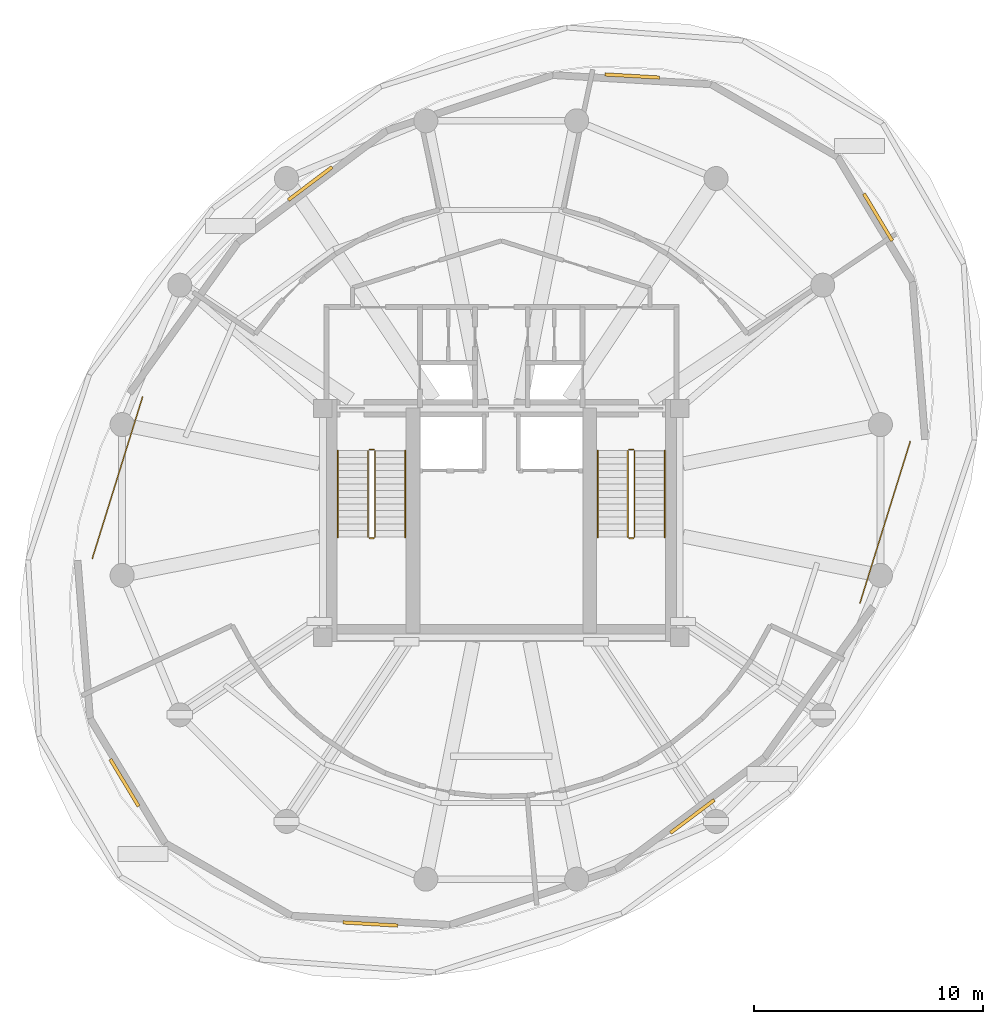
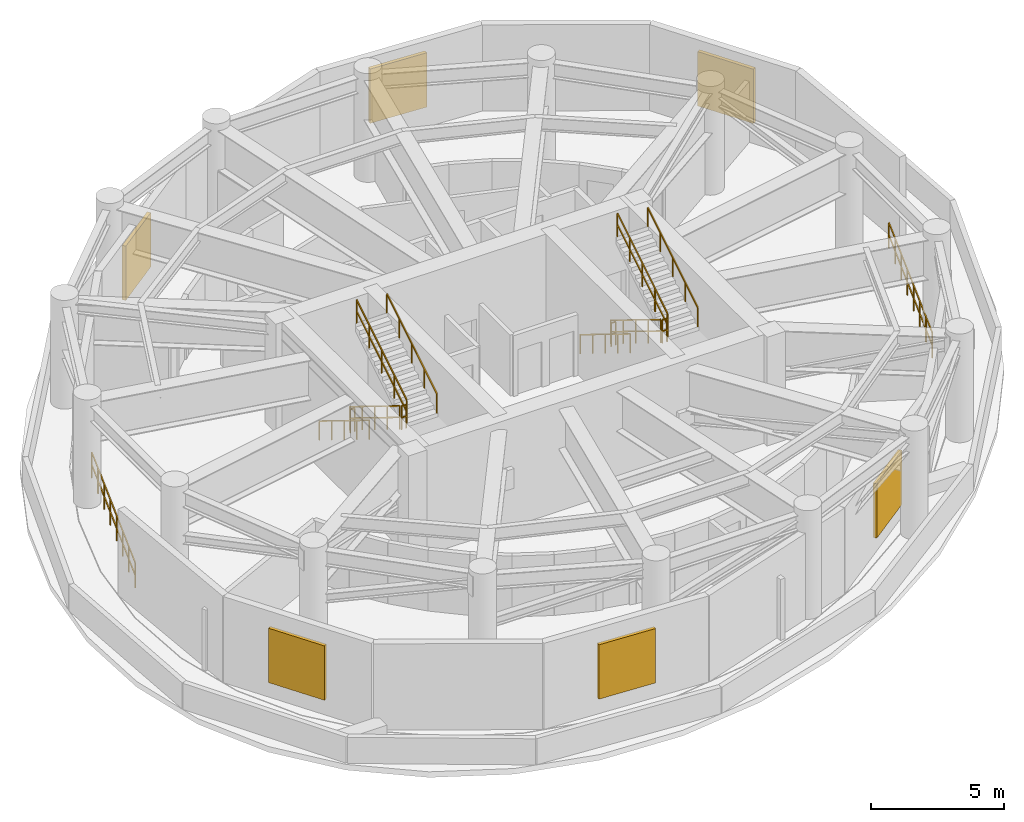
# One storey, part 6 of 6: 14 railings, 6 shading devices.
"""IFC4 building model written with IfcOpenShell, lengths in metres."""

from ifc_helpers import new_model, si_unit, direction, frame, origin, origin_2d, place, context, subcontext, project, spatial, rectangle, extrude, material, layer, layer_set, type_object, element, save


model = new_model("IFC4")

# Units and contexts
model_context = context("Model", 3, precision=1e-05, world=origin(), true_north=direction((0.0, 1.0)))
body_context = subcontext(model_context, "Body", "Model", "MODEL_VIEW")
ifc_project = project(units=[si_unit("LENGTHUNIT", "METRE"), si_unit("AREAUNIT", "SQUARE_METRE"), si_unit("VOLUMEUNIT", "CUBIC_METRE"), si_unit("PLANEANGLEUNIT", "RADIAN"), si_unit("MASSUNIT", "GRAM", prefix="KILO"), si_unit("THERMODYNAMICTEMPERATUREUNIT", "KELVIN"), si_unit("POWERUNIT", "WATT")], contexts=[model_context])

# Site, building, storey
site_placement = place(None, origin())
site = spatial("IfcSite", under=ifc_project, at=site_placement, CompositionType="ELEMENT")
building_placement = place(site_placement, origin())
building = spatial("IfcBuilding", under=site, at=building_placement, Name="Ocrelia Relay Tower", CompositionType="ELEMENT")
storey_placement = place(building_placement, frame((0.0, 0.0, 220.39990234375)))
storey = spatial("IfcBuildingStorey", under=building, at=storey_placement, Name="L54", CompositionType="ELEMENT", Elevation=220.39990234375)

# Railings
ifc_material_1 = material(Name="Steel S355 balustrade", Category="steel")
railing_type_1 = type_object("IfcRailingType", Name="RL-PORTAL-GUARD-1200", PredefinedType="GUARDRAIL", material=ifc_material_1)
railing_1_placement = place(storey_placement, frame((18.318603515625, 30.502197265625, 0.0)))
element("IfcRailing", 1, at=railing_1_placement, inside=storey, type_object=railing_type_1, Name="L54 Wind Portal Perimeter Guard 06", PredefinedType="GUARDRAIL", context=body_context, shape_type="SweptSolid", body=[
    extrude(rectangle(XDim=0.048095703125, YDim=0.048095703125, at=origin_2d()), frame((0.0, 0.0, 1.17578125), z_axis=(-0.296957399718, -0.954890728174, 0.0), x_axis=(0.954890728174, -0.296957399718, 0.0)), (0.0, 0.0, 1.0), 7.386962890625),
    extrude(rectangle(XDim=0.048095703125, YDim=0.048095703125, at=origin_2d()), frame((0.0, 0.0, 0.60009765625), z_axis=(-0.296957399718, -0.954890728174, 0.0), x_axis=(0.954890728174, -0.296957399718, 0.0)), (0.0, 0.0, 1.0), 7.386962890625),
    extrude(rectangle(XDim=0.0419921875, YDim=0.0419921875, at=origin_2d()), origin(), (0.0, 0.0, 1.0), 1.15185546875),
    extrude(rectangle(XDim=0.0419921875, YDim=0.0419921875, at=origin_2d()), frame((-0.3134765625, -1.007568359375, 0.0)), (0.0, 0.0, 1.0), 1.15185546875),
    extrude(rectangle(XDim=0.0419921875, YDim=0.0419921875, at=origin_2d()), frame((-0.626708984375, -2.015380859375, 0.0)), (0.0, 0.0, 1.0), 1.15185546875),
    extrude(rectangle(XDim=0.0419921875, YDim=0.0419921875, at=origin_2d()), frame((-0.940185546875, -3.02294921875, 0.0)), (0.0, 0.0, 1.0), 1.15185546875),
    extrude(rectangle(XDim=0.0419921875, YDim=0.0419921875, at=origin_2d()), frame((-1.25341796875, -4.03076171875, 0.0)), (0.0, 0.0, 1.0), 1.15185546875),
    extrude(rectangle(XDim=0.0419921875, YDim=0.0419921875, at=origin_2d()), frame((-1.56689453125, -5.038330078125, 0.0)), (0.0, 0.0, 1.0), 1.15185546875),
    extrude(rectangle(XDim=0.0419921875, YDim=0.0419921875, at=origin_2d()), frame((-1.880126953125, -6.046142578125, 0.0)), (0.0, 0.0, 1.0), 1.15185546875),
    extrude(rectangle(XDim=0.0419921875, YDim=0.0419921875, at=origin_2d()), frame((-2.193603515625, -7.0537109375, 0.0)), (0.0, 0.0, 1.0), 1.15185546875),
])
railing_2_placement = place(storey_placement, frame((49.681396484375, 21.497802734375, 0.0)))
element("IfcRailing", 2, at=railing_2_placement, inside=storey, type_object=railing_type_1, Name="L54 Wind Portal Perimeter Guard 14", PredefinedType="GUARDRAIL", context=body_context, shape_type="SweptSolid", body=[
    extrude(rectangle(XDim=0.048095703125, YDim=0.048095703125, at=origin_2d()), frame((0.0, 0.0, 1.17578125), z_axis=(0.296957399718, 0.954890728174, 0.0), x_axis=(-0.954890728174, 0.296957399718, 0.0)), (0.0, 0.0, 1.0), 7.386962890625),
    extrude(rectangle(XDim=0.048095703125, YDim=0.048095703125, at=origin_2d()), frame((0.0, 0.0, 0.60009765625), z_axis=(0.296957399718, 0.954890728174, 0.0), x_axis=(-0.954890728174, 0.296957399718, 0.0)), (0.0, 0.0, 1.0), 7.386962890625),
    extrude(rectangle(XDim=0.0419921875, YDim=0.0419921875, at=origin_2d()), origin(), (0.0, 0.0, 1.0), 1.15185546875),
    extrude(rectangle(XDim=0.0419921875, YDim=0.0419921875, at=origin_2d()), frame((0.3134765625, 1.007568359375, 0.0)), (0.0, 0.0, 1.0), 1.15185546875),
    extrude(rectangle(XDim=0.0419921875, YDim=0.0419921875, at=origin_2d()), frame((0.626708984375, 2.015380859375, 0.0)), (0.0, 0.0, 1.0), 1.15185546875),
    extrude(rectangle(XDim=0.0419921875, YDim=0.0419921875, at=origin_2d()), frame((0.940185546875, 3.02294921875, 0.0)), (0.0, 0.0, 1.0), 1.15185546875),
    extrude(rectangle(XDim=0.0419921875, YDim=0.0419921875, at=origin_2d()), frame((1.25341796875, 4.03076171875, 0.0)), (0.0, 0.0, 1.0), 1.15185546875),
    extrude(rectangle(XDim=0.0419921875, YDim=0.0419921875, at=origin_2d()), frame((1.56689453125, 5.038330078125, 0.0)), (0.0, 0.0, 1.0), 1.15185546875),
    extrude(rectangle(XDim=0.0419921875, YDim=0.0419921875, at=origin_2d()), frame((1.880126953125, 6.046142578125, 0.0)), (0.0, 0.0, 1.0), 1.15185546875),
    extrude(rectangle(XDim=0.0419921875, YDim=0.0419921875, at=origin_2d()), frame((2.193603515625, 7.0537109375, 0.0)), (0.0, 0.0, 1.0), 1.15185546875),
])
railing_type_2 = type_object("IfcRailingType", Name="RL-STAIR-GUARD", PredefinedType="GUARDRAIL", material=ifc_material_1)
railing_3_placement = place(storey_placement, frame((28.179931640625, 28.14990234375, 0.1787109375)))
element("IfcRailing", 3, at=railing_3_placement, inside=storey, type_object=railing_type_2, Name="L54 ST1 stair guard 1", PredefinedType="GUARDRAIL", context=body_context, shape_type="SweptSolid", body=[
    extrude(rectangle(XDim=0.048095703125, YDim=0.048095703125, at=origin_2d()), frame((0.0, 0.0, 1.076171875), z_axis=(0.0, -0.851529543405, 0.524306624705), x_axis=(1.0, 0.0, 0.0)), (0.0, 0.0, 1.0), 4.42724609375),
    extrude(rectangle(XDim=0.048095703125, YDim=0.048095703125, at=origin_2d()), frame((0.0, 0.0, 0.550048828125), z_axis=(0.0, -0.851529543405, 0.524306624705), x_axis=(1.0, 0.0, 0.0)), (0.0, 0.0, 1.0), 4.42724609375),
    extrude(rectangle(XDim=0.0419921875, YDim=0.0419921875, at=origin_2d()), origin(), (0.0, 0.0, 1.0), 1.052001953125),
    extrude(rectangle(XDim=0.0419921875, YDim=0.0419921875, at=origin_2d()), frame((0.0, -0.9423828125, 0.580322265625)), (0.0, 0.0, 1.0), 1.052001953125),
    extrude(rectangle(XDim=0.0419921875, YDim=0.0419921875, at=origin_2d()), frame((0.0, -1.885009765625, 1.16064453125)), (0.0, 0.0, 1.0), 1.052001953125),
    extrude(rectangle(XDim=0.0419921875, YDim=0.0419921875, at=origin_2d()), frame((0.0, -2.82763671875, 1.740966796875)), (0.0, 0.0, 1.0), 1.052001953125),
    extrude(rectangle(XDim=0.0419921875, YDim=0.0419921875, at=origin_2d()), frame((0.0, -3.77001953125, 2.3212890625)), (0.0, 0.0, 1.0), 1.052001953125),
])
railing_4_placement = place(storey_placement, frame((28.22998046875, 24.330078125, 2.5)))
element("IfcRailing", 4, at=railing_4_placement, inside=storey, type_object=railing_type_2, Name="L54 ST1 stair guard 2", PredefinedType="GUARDRAIL", context=body_context, shape_type="SweptSolid", body=[
    extrude(rectangle(XDim=0.048095703125, YDim=0.048095703125, at=origin_2d()), frame((0.0, 0.0, 1.076171875), z_axis=(1.0, 0.0, 0.0), x_axis=(0.0, 1.0, 0.0)), (0.0, 0.0, 1.0), 0.199951171875),
    extrude(rectangle(XDim=0.048095703125, YDim=0.048095703125, at=origin_2d()), frame((0.0, 0.0, 0.550048828125), z_axis=(1.0, 0.0, 0.0), x_axis=(0.0, 1.0, 0.0)), (0.0, 0.0, 1.0), 0.199951171875),
    extrude(rectangle(XDim=0.0419921875, YDim=0.0419921875, at=origin_2d()), origin(), (0.0, 0.0, 1.0), 1.052001953125),
    extrude(rectangle(XDim=0.0419921875, YDim=0.0419921875, at=origin_2d()), frame((0.199951171875, 0.0, 0.0)), (0.0, 0.0, 1.0), 1.052001953125),
])
railing_5_placement = place(storey_placement, frame((28.47998046875, 24.3798828125, 2.6787109375)))
element("IfcRailing", 5, at=railing_5_placement, inside=storey, type_object=railing_type_2, Name="L54 ST1 stair guard 3", PredefinedType="GUARDRAIL", context=body_context, shape_type="SweptSolid", body=[
    extrude(rectangle(XDim=0.048095703125, YDim=0.048095703125, at=origin_2d()), frame((0.0, 0.0, 1.076171875), z_axis=(0.0, 0.851529543405, 0.524306624705), x_axis=(-1.0, 0.0, 0.0)), (0.0, 0.0, 1.0), 4.42724609375),
    extrude(rectangle(XDim=0.048095703125, YDim=0.048095703125, at=origin_2d()), frame((0.0, 0.0, 0.550048828125), z_axis=(0.0, 0.851529543405, 0.524306624705), x_axis=(-1.0, 0.0, 0.0)), (0.0, 0.0, 1.0), 4.42724609375),
    extrude(rectangle(XDim=0.0419921875, YDim=0.0419921875, at=origin_2d()), origin(), (0.0, 0.0, 1.0), 1.052001953125),
    extrude(rectangle(XDim=0.0419921875, YDim=0.0419921875, at=origin_2d()), frame((0.0, 0.9423828125, 0.580322265625)), (0.0, 0.0, 1.0), 1.052001953125),
    extrude(rectangle(XDim=0.0419921875, YDim=0.0419921875, at=origin_2d()), frame((0.0, 1.885009765625, 1.16064453125)), (0.0, 0.0, 1.0), 1.052001953125),
    extrude(rectangle(XDim=0.0419921875, YDim=0.0419921875, at=origin_2d()), frame((0.0, 2.82763671875, 1.740966796875)), (0.0, 0.0, 1.0), 1.052001953125),
    extrude(rectangle(XDim=0.0419921875, YDim=0.0419921875, at=origin_2d()), frame((0.0, 3.77001953125, 2.3212890625)), (0.0, 0.0, 1.0), 1.052001953125),
])
railing_6_placement = place(storey_placement, frame((28.22998046875, 28.199951171875, 0.0)))
element("IfcRailing", 6, at=railing_6_placement, inside=storey, type_object=railing_type_2, Name="L54 ST1 stair guard 4", PredefinedType="GUARDRAIL", context=body_context, shape_type="SweptSolid", body=[
    extrude(rectangle(XDim=0.048095703125, YDim=0.048095703125, at=origin_2d()), frame((0.0, 0.0, 1.076171875), z_axis=(1.0, 0.0, 0.0), x_axis=(0.0, 1.0, 0.0)), (0.0, 0.0, 1.0), 0.199951171875),
    extrude(rectangle(XDim=0.048095703125, YDim=0.048095703125, at=origin_2d()), frame((0.0, 0.0, 0.550048828125), z_axis=(1.0, 0.0, 0.0), x_axis=(0.0, 1.0, 0.0)), (0.0, 0.0, 1.0), 0.199951171875),
    extrude(rectangle(XDim=0.0419921875, YDim=0.0419921875, at=origin_2d()), origin(), (0.0, 0.0, 1.0), 1.052001953125),
    extrude(rectangle(XDim=0.0419921875, YDim=0.0419921875, at=origin_2d()), frame((0.199951171875, 0.0, 0.0)), (0.0, 0.0, 1.0), 1.052001953125),
])
railing_7_placement = place(storey_placement, frame((39.530029296875, 28.14990234375, 0.1787109375)))
element("IfcRailing", 7, at=railing_7_placement, inside=storey, type_object=railing_type_2, Name="L54 ST2 stair guard 1", PredefinedType="GUARDRAIL", context=body_context, shape_type="SweptSolid", body=[
    extrude(rectangle(XDim=0.048095703125, YDim=0.048095703125, at=origin_2d()), frame((0.0, 0.0, 1.076171875), z_axis=(0.0, -0.851529543405, 0.524306624705), x_axis=(1.0, 0.0, 0.0)), (0.0, 0.0, 1.0), 4.42724609375),
    extrude(rectangle(XDim=0.048095703125, YDim=0.048095703125, at=origin_2d()), frame((0.0, 0.0, 0.550048828125), z_axis=(0.0, -0.851529543405, 0.524306624705), x_axis=(1.0, 0.0, 0.0)), (0.0, 0.0, 1.0), 4.42724609375),
    extrude(rectangle(XDim=0.0419921875, YDim=0.0419921875, at=origin_2d()), origin(), (0.0, 0.0, 1.0), 1.052001953125),
    extrude(rectangle(XDim=0.0419921875, YDim=0.0419921875, at=origin_2d()), frame((0.0, -0.9423828125, 0.580322265625)), (0.0, 0.0, 1.0), 1.052001953125),
    extrude(rectangle(XDim=0.0419921875, YDim=0.0419921875, at=origin_2d()), frame((0.0, -1.885009765625, 1.16064453125)), (0.0, 0.0, 1.0), 1.052001953125),
    extrude(rectangle(XDim=0.0419921875, YDim=0.0419921875, at=origin_2d()), frame((0.0, -2.82763671875, 1.740966796875)), (0.0, 0.0, 1.0), 1.052001953125),
    extrude(rectangle(XDim=0.0419921875, YDim=0.0419921875, at=origin_2d()), frame((0.0, -3.77001953125, 2.3212890625)), (0.0, 0.0, 1.0), 1.052001953125),
])
railing_8_placement = place(storey_placement, frame((39.580078125, 24.330078125, 2.5)))
element("IfcRailing", 8, at=railing_8_placement, inside=storey, type_object=railing_type_2, Name="L54 ST2 stair guard 2", PredefinedType="GUARDRAIL", context=body_context, shape_type="SweptSolid", body=[
    extrude(rectangle(XDim=0.048095703125, YDim=0.048095703125, at=origin_2d()), frame((0.0, 0.0, 1.076171875), z_axis=(1.0, 0.0, 0.0), x_axis=(0.0, 1.0, 0.0)), (0.0, 0.0, 1.0), 0.199951171875),
    extrude(rectangle(XDim=0.048095703125, YDim=0.048095703125, at=origin_2d()), frame((0.0, 0.0, 0.550048828125), z_axis=(1.0, 0.0, 0.0), x_axis=(0.0, 1.0, 0.0)), (0.0, 0.0, 1.0), 0.199951171875),
    extrude(rectangle(XDim=0.0419921875, YDim=0.0419921875, at=origin_2d()), origin(), (0.0, 0.0, 1.0), 1.052001953125),
    extrude(rectangle(XDim=0.0419921875, YDim=0.0419921875, at=origin_2d()), frame((0.199951171875, 0.0, 0.0)), (0.0, 0.0, 1.0), 1.052001953125),
])
railing_9_placement = place(storey_placement, frame((39.830078125, 24.3798828125, 2.6787109375)))
element("IfcRailing", 9, at=railing_9_placement, inside=storey, type_object=railing_type_2, Name="L54 ST2 stair guard 3", PredefinedType="GUARDRAIL", context=body_context, shape_type="SweptSolid", body=[
    extrude(rectangle(XDim=0.048095703125, YDim=0.048095703125, at=origin_2d()), frame((0.0, 0.0, 1.076171875), z_axis=(0.0, 0.851529543405, 0.524306624705), x_axis=(-1.0, 0.0, 0.0)), (0.0, 0.0, 1.0), 4.42724609375),
    extrude(rectangle(XDim=0.048095703125, YDim=0.048095703125, at=origin_2d()), frame((0.0, 0.0, 0.550048828125), z_axis=(0.0, 0.851529543405, 0.524306624705), x_axis=(-1.0, 0.0, 0.0)), (0.0, 0.0, 1.0), 4.42724609375),
    extrude(rectangle(XDim=0.0419921875, YDim=0.0419921875, at=origin_2d()), origin(), (0.0, 0.0, 1.0), 1.052001953125),
    extrude(rectangle(XDim=0.0419921875, YDim=0.0419921875, at=origin_2d()), frame((0.0, 0.9423828125, 0.580322265625)), (0.0, 0.0, 1.0), 1.052001953125),
    extrude(rectangle(XDim=0.0419921875, YDim=0.0419921875, at=origin_2d()), frame((0.0, 1.885009765625, 1.16064453125)), (0.0, 0.0, 1.0), 1.052001953125),
    extrude(rectangle(XDim=0.0419921875, YDim=0.0419921875, at=origin_2d()), frame((0.0, 2.82763671875, 1.740966796875)), (0.0, 0.0, 1.0), 1.052001953125),
    extrude(rectangle(XDim=0.0419921875, YDim=0.0419921875, at=origin_2d()), frame((0.0, 3.77001953125, 2.3212890625)), (0.0, 0.0, 1.0), 1.052001953125),
])
railing_10_placement = place(storey_placement, frame((39.580078125, 28.199951171875, 0.0)))
element("IfcRailing", 10, at=railing_10_placement, inside=storey, type_object=railing_type_2, Name="L54 ST2 stair guard 4", PredefinedType="GUARDRAIL", context=body_context, shape_type="SweptSolid", body=[
    extrude(rectangle(XDim=0.048095703125, YDim=0.048095703125, at=origin_2d()), frame((0.0, 0.0, 1.076171875), z_axis=(1.0, 0.0, 0.0), x_axis=(0.0, 1.0, 0.0)), (0.0, 0.0, 1.0), 0.199951171875),
    extrude(rectangle(XDim=0.048095703125, YDim=0.048095703125, at=origin_2d()), frame((0.0, 0.0, 0.550048828125), z_axis=(1.0, 0.0, 0.0), x_axis=(0.0, 1.0, 0.0)), (0.0, 0.0, 1.0), 0.199951171875),
    extrude(rectangle(XDim=0.0419921875, YDim=0.0419921875, at=origin_2d()), origin(), (0.0, 0.0, 1.0), 1.052001953125),
    extrude(rectangle(XDim=0.0419921875, YDim=0.0419921875, at=origin_2d()), frame((0.199951171875, 0.0, 0.0)), (0.0, 0.0, 1.0), 1.052001953125),
])
ifc_material_2 = material(Name="Steel S355 tubular handrail", Category="steel")
railing_type_3 = type_object("IfcRailingType", Name="RL-STAIR-HAND", PredefinedType="HANDRAIL", material=ifc_material_2)
railing_11_placement = place(storey_placement, frame((26.860107421875, 28.14990234375, 0.1787109375)))
element("IfcRailing", 11, at=railing_11_placement, inside=storey, type_object=railing_type_3, Name="L54 ST1 stair handrail 1", PredefinedType="HANDRAIL", context=body_context, shape_type="SweptSolid", body=[
    extrude(rectangle(XDim=0.048095703125, YDim=0.048095703125, at=origin_2d()), frame((0.0, 0.0, 0.8759765625), z_axis=(0.0, -0.851529543405, 0.524306624705), x_axis=(1.0, 0.0, 0.0)), (0.0, 0.0, 1.0), 4.42724609375),
    extrude(rectangle(XDim=0.0419921875, YDim=0.0419921875, at=origin_2d()), origin(), (0.0, 0.0, 1.0), 0.851806640625),
    extrude(rectangle(XDim=0.0419921875, YDim=0.0419921875, at=origin_2d()), frame((0.0, -0.9423828125, 0.580322265625)), (0.0, 0.0, 1.0), 0.851806640625),
    extrude(rectangle(XDim=0.0419921875, YDim=0.0419921875, at=origin_2d()), frame((0.0, -1.885009765625, 1.16064453125)), (0.0, 0.0, 1.0), 0.851806640625),
    extrude(rectangle(XDim=0.0419921875, YDim=0.0419921875, at=origin_2d()), frame((0.0, -2.82763671875, 1.740966796875)), (0.0, 0.0, 1.0), 0.851806640625),
    extrude(rectangle(XDim=0.0419921875, YDim=0.0419921875, at=origin_2d()), frame((0.0, -3.77001953125, 2.3212890625)), (0.0, 0.0, 1.0), 0.851806640625),
])
railing_12_placement = place(storey_placement, frame((29.800048828125, 24.3798828125, 2.6787109375)))
element("IfcRailing", 12, at=railing_12_placement, inside=storey, type_object=railing_type_3, Name="L54 ST1 stair handrail 2", PredefinedType="HANDRAIL", context=body_context, shape_type="SweptSolid", body=[
    extrude(rectangle(XDim=0.048095703125, YDim=0.048095703125, at=origin_2d()), frame((0.0, 0.0, 0.8759765625), z_axis=(0.0, 0.851529543405, 0.524306624705), x_axis=(-1.0, 0.0, 0.0)), (0.0, 0.0, 1.0), 4.42724609375),
    extrude(rectangle(XDim=0.0419921875, YDim=0.0419921875, at=origin_2d()), origin(), (0.0, 0.0, 1.0), 0.851806640625),
    extrude(rectangle(XDim=0.0419921875, YDim=0.0419921875, at=origin_2d()), frame((0.0, 0.9423828125, 0.580322265625)), (0.0, 0.0, 1.0), 0.851806640625),
    extrude(rectangle(XDim=0.0419921875, YDim=0.0419921875, at=origin_2d()), frame((0.0, 1.885009765625, 1.16064453125)), (0.0, 0.0, 1.0), 0.851806640625),
    extrude(rectangle(XDim=0.0419921875, YDim=0.0419921875, at=origin_2d()), frame((0.0, 2.82763671875, 1.740966796875)), (0.0, 0.0, 1.0), 0.851806640625),
    extrude(rectangle(XDim=0.0419921875, YDim=0.0419921875, at=origin_2d()), frame((0.0, 3.77001953125, 2.3212890625)), (0.0, 0.0, 1.0), 0.851806640625),
])
railing_13_placement = place(storey_placement, frame((38.2099609375, 28.14990234375, 0.1787109375)))
element("IfcRailing", 13, at=railing_13_placement, inside=storey, type_object=railing_type_3, Name="L54 ST2 stair handrail 1", PredefinedType="HANDRAIL", context=body_context, shape_type="SweptSolid", body=[
    extrude(rectangle(XDim=0.048095703125, YDim=0.048095703125, at=origin_2d()), frame((0.0, 0.0, 0.8759765625), z_axis=(0.0, -0.851529543405, 0.524306624705), x_axis=(1.0, 0.0, 0.0)), (0.0, 0.0, 1.0), 4.42724609375),
    extrude(rectangle(XDim=0.0419921875, YDim=0.0419921875, at=origin_2d()), origin(), (0.0, 0.0, 1.0), 0.851806640625),
    extrude(rectangle(XDim=0.0419921875, YDim=0.0419921875, at=origin_2d()), frame((0.0, -0.9423828125, 0.580322265625)), (0.0, 0.0, 1.0), 0.851806640625),
    extrude(rectangle(XDim=0.0419921875, YDim=0.0419921875, at=origin_2d()), frame((0.0, -1.885009765625, 1.16064453125)), (0.0, 0.0, 1.0), 0.851806640625),
    extrude(rectangle(XDim=0.0419921875, YDim=0.0419921875, at=origin_2d()), frame((0.0, -2.82763671875, 1.740966796875)), (0.0, 0.0, 1.0), 0.851806640625),
    extrude(rectangle(XDim=0.0419921875, YDim=0.0419921875, at=origin_2d()), frame((0.0, -3.77001953125, 2.3212890625)), (0.0, 0.0, 1.0), 0.851806640625),
])
railing_14_placement = place(storey_placement, frame((41.14990234375, 24.3798828125, 2.6787109375)))
element("IfcRailing", 14, at=railing_14_placement, inside=storey, type_object=railing_type_3, Name="L54 ST2 stair handrail 2", PredefinedType="HANDRAIL", context=body_context, shape_type="SweptSolid", body=[
    extrude(rectangle(XDim=0.048095703125, YDim=0.048095703125, at=origin_2d()), frame((0.0, 0.0, 0.8759765625), z_axis=(0.0, 0.851529543405, 0.524306624705), x_axis=(-1.0, 0.0, 0.0)), (0.0, 0.0, 1.0), 4.42724609375),
    extrude(rectangle(XDim=0.0419921875, YDim=0.0419921875, at=origin_2d()), origin(), (0.0, 0.0, 1.0), 0.851806640625),
    extrude(rectangle(XDim=0.0419921875, YDim=0.0419921875, at=origin_2d()), frame((0.0, 0.9423828125, 0.580322265625)), (0.0, 0.0, 1.0), 0.851806640625),
    extrude(rectangle(XDim=0.0419921875, YDim=0.0419921875, at=origin_2d()), frame((0.0, 1.885009765625, 1.16064453125)), (0.0, 0.0, 1.0), 0.851806640625),
    extrude(rectangle(XDim=0.0419921875, YDim=0.0419921875, at=origin_2d()), frame((0.0, 2.82763671875, 1.740966796875)), (0.0, 0.0, 1.0), 0.851806640625),
    extrude(rectangle(XDim=0.0419921875, YDim=0.0419921875, at=origin_2d()), frame((0.0, 3.77001953125, 2.3212890625)), (0.0, 0.0, 1.0), 0.851806640625),
])

# Shading devices
ifc_material_3 = material(Name="Acoustic bronze-terracotta aluminium louvre", Category="masonry")
ifc_layer = layer(ifc_material_3, 0.14990234375, Name="Acoustic bronze-terracotta aluminium louvre")
ifc_layer_set = layer_set([ifc_layer], Name="Acoustic bronze-terracotta aluminium louvre")
shading_device_type = type_object("IfcShadingDeviceType", Name="SH-PLANT-LOUVRE", PredefinedType="JALOUSIE", material=ifc_layer_set)
for number, where, z_axis, x_axis, name in (
    (15, (39.723388671875, 44.533447265625, 0.72998046875), (0.0, 0.0, 1.0), (-0.998315385213, 0.058020613986, 0.0), "L54 High-Altitude Plant Intake Louvre 02"),
    (16, (25.64990234375, 39.834716796875, 0.72998046875), (0.0, 0.0, 1.0), (-0.799375152978, -0.600832226833, 0.0), "L54 High-Altitude Plant Intake Louvre 04"),
    (17, (17.5283203125, 13.639892578125, 0.72998046875), (0.0, 0.0, 1.0), (0.515872076786, -0.856665629282, 0.0), "L54 High-Altitude Plant Intake Louvre 08"),
    (18, (28.276611328125, 7.466552734375, 0.72998046875), (0.0, 0.0, 1.0), (0.998315385213, -0.058020613986, 0.0), "L54 High-Altitude Plant Intake Louvre 10"),
    (19, (42.35009765625, 12.165283203125, 0.72998046875), (0.0, 0.0, 1.0), (0.799375152978, 0.600832226833, 0.0), "L54 High-Altitude Plant Intake Louvre 12"),
    (20, (50.4716796875, 38.360107421875, 0.72998046875), (0.0, 0.0, 1.0), (-0.515872076786, 0.856665629282, 0.0), "L54 High-Altitude Plant Intake Louvre 16"),
):
    element("IfcShadingDevice", number, at=place(storey_placement, frame(where, z_axis=z_axis, x_axis=x_axis)), inside=storey, type_object=shading_device_type, Name=name, PredefinedType="JALOUSIE", context=body_context, shape_type="SweptSolid", body=[
        extrude(rectangle(XDim=2.39990234375, YDim=0.14990234375, at=origin_2d()), origin(), (0.0, 0.0, 1.0), 2.5),
    ])

save(model, "model.ifc")
